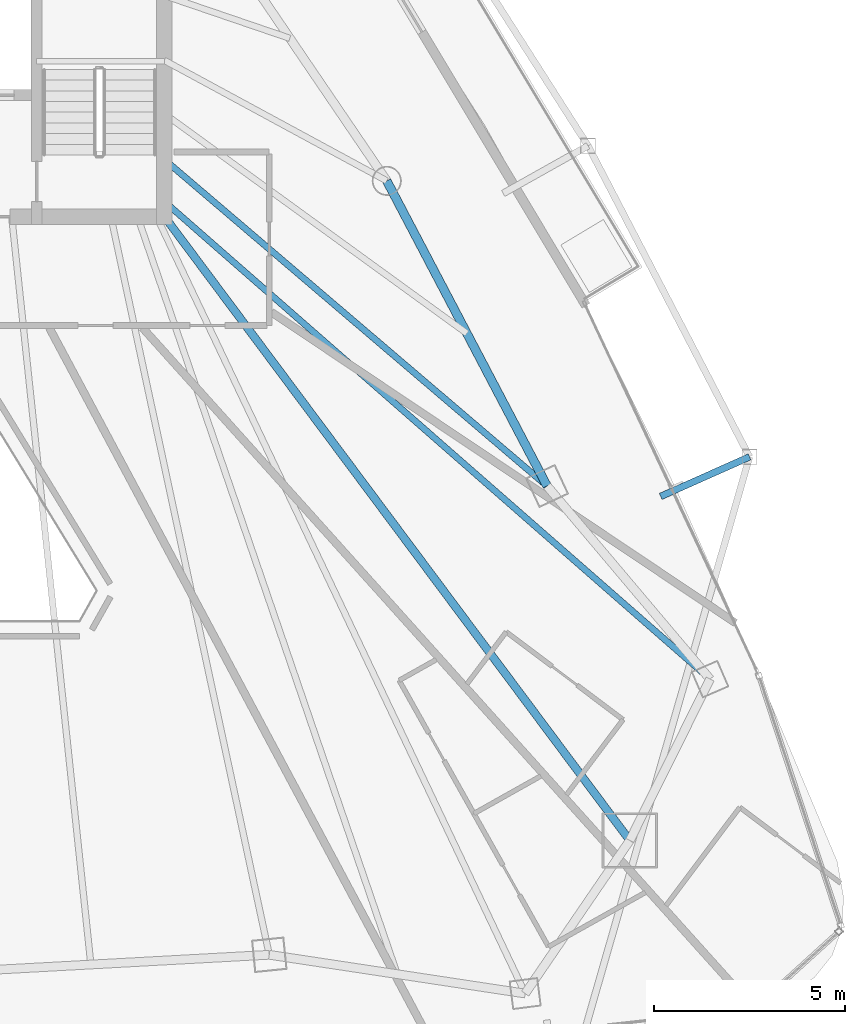
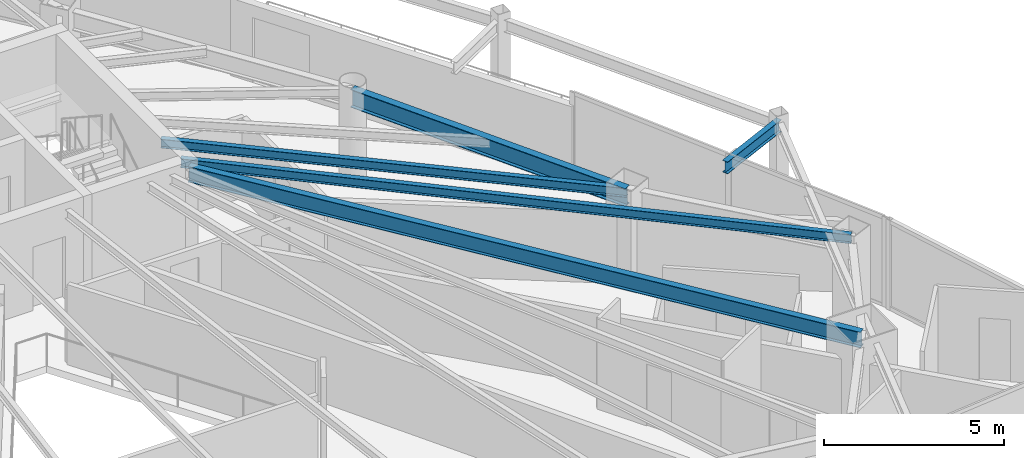
# One storey, part 18 of 30: 5 beams.
"""IFC4 building model written with IfcOpenShell, lengths in metres."""

from ifc_helpers import new_model, si_unit, direction, frame, origin, origin_2d, place, context, subcontext, project, spatial, i_section, extrude, material, material_profile, profile_set, type_object, element, save


model = new_model("IFC4")

# Units and contexts
model_context = context("Model", 3, precision=1e-05, world=origin(), true_north=direction((0.0, 1.0)))
body_context = subcontext(model_context, "Body", "Model", "MODEL_VIEW")
ifc_project = project(units=[si_unit("LENGTHUNIT", "METRE"), si_unit("AREAUNIT", "SQUARE_METRE"), si_unit("VOLUMEUNIT", "CUBIC_METRE"), si_unit("PLANEANGLEUNIT", "RADIAN"), si_unit("MASSUNIT", "GRAM", prefix="KILO")], contexts=[model_context])

# Site, building, storey
site_placement = place(None, origin())
site = spatial("IfcSite", under=ifc_project, at=site_placement, CompositionType="ELEMENT")
building_placement = place(site_placement, origin())
building = spatial("IfcBuilding", under=site, at=building_placement, Name="Orvanel Arch Residences", CompositionType="ELEMENT")
storey_placement = place(building_placement, frame((0.0, 0.0, 180.35009765625)))
storey = spatial("IfcBuildingStorey", under=building, at=storey_placement, Name="L51", CompositionType="ELEMENT", Elevation=180.35009765625)

# Beams
ifc_material = material(Name="Structural steel AS/NZS 3679.1 Grade 300 (300 MPa)", Category="steel")
ifc_material_profile_1 = material_profile(ifc_material, i_section(OverallWidth=0.208984375, OverallDepth=0.532958984375, WebThickness=0.01025390625, FlangeThickness=0.015625, at=origin_2d()), Name="530UB92.4")
ifc_profile_set_1 = profile_set([ifc_material_profile_1], Name="Structural steel AS/NZS 3679.1 Grade 300 (300 MPa)")
beam_type_1 = type_object("IfcBeamType", Name="BG-530UB", PredefinedType="BEAM", material=ifc_profile_set_1)
beam_1_placement = place(storey_placement, frame((39.625, 26.675048828125, 2.79296875), z_axis=(0.597893733742, -0.801575375839, 0.0), x_axis=(0.801575375839, 0.597893733742, 0.0)))
element("IfcBeam", 1, at=beam_1_placement, inside=storey, type_object=beam_type_1, Name="L51 South-East Radial Girder", PredefinedType="BEAM", context=body_context, shape_type="SweptSolid", body=[
    extrude(i_section(OverallWidth=0.208984375, OverallDepth=0.532958984375, WebThickness=0.01025390625, FlangeThickness=0.015625, at=origin_2d()), origin(), (0.0, 0.0, 1.0), 20.36474609375),
])
ifc_material_profile_2 = material_profile(ifc_material, i_section(OverallWidth=0.1650390625, OverallDepth=0.303955078125, WebThickness=0.006103515625, FlangeThickness=0.01025390625, at=origin_2d()), Name="310UB40.4")
ifc_profile_set_2 = profile_set([ifc_material_profile_2], Name="Structural steel AS/NZS 3679.1 Grade 300 (300 MPa)")
beam_type_2 = type_object("IfcBeamType", Name="BJ-310UB", PredefinedType="JOIST", material=ifc_profile_set_2)
beam_2_placement = place(storey_placement, frame((39.60009765625, 28.199951171875, 2.907958984375), z_axis=(0.760821315761, -0.648961420644, 0.0), x_axis=(0.648961420644, 0.760821315761, 0.0)))
element("IfcBeam", 2, at=beam_2_placement, inside=storey, type_object=beam_type_2, Name="L51 E Wing Floor Joist", PredefinedType="JOIST", context=body_context, shape_type="SweptSolid", body=[
    extrude(i_section(OverallWidth=0.1650390625, OverallDepth=0.303955078125, WebThickness=0.006103515625, FlangeThickness=0.01025390625, at=origin_2d()), origin(), (0.0, 0.0, 1.0), 13.18701171875),
])
beam_3_placement = place(storey_placement, frame((39.60009765625, 27.10009765625, 2.907958984375), z_axis=(0.752493154183, -0.658600070534, 0.0), x_axis=(0.658600070534, 0.752493154183, 0.0)))
element("IfcBeam", 3, at=beam_3_placement, inside=storey, type_object=beam_type_2, Name="L51 ME Wing Floor Joist", PredefinedType="JOIST", context=body_context, shape_type="SweptSolid", body=[
    extrude(i_section(OverallWidth=0.1650390625, OverallDepth=0.303955078125, WebThickness=0.006103515625, FlangeThickness=0.01025390625, at=origin_2d()), origin(), (0.0, 0.0, 1.0), 19.010009765625),
])
ifc_material_profile_3 = material_profile(ifc_material, i_section(OverallWidth=0.177978515625, OverallDepth=0.406005859375, WebThickness=0.0078125, FlangeThickness=0.0126953125, at=origin_2d()), Name="410UB59.7")
ifc_profile_set_3 = profile_set([ifc_material_profile_3], Name="Structural steel AS/NZS 3679.1 Grade 300 (300 MPa)")
beam_type_3 = type_object("IfcBeamType", Name="OB-410UB-EXT", PredefinedType="SPANDREL", material=ifc_profile_set_3)
beam_4_placement = place(storey_placement, frame((52.611083984375, 19.368896484375, 2.85693359375), z_axis=(0.913368775481, 0.407133245974, 0.0), x_axis=(-0.407133245974, 0.913368775481, 0.0)))
element("IfcBeam", 4, at=beam_4_placement, inside=storey, type_object=beam_type_3, Name="L51 Outer Frame Radial Tie Beam 09", PredefinedType="SPANDREL", context=body_context, shape_type="SweptSolid", body=[
    extrude(i_section(OverallWidth=0.177978515625, OverallDepth=0.406005859375, WebThickness=0.0078125, FlangeThickness=0.0126953125, at=origin_2d()), origin(), (0.0, 0.0, 1.0), 2.5498046875),
])
ifc_material_profile_4 = material_profile(ifc_material, i_section(OverallWidth=0.22900390625, OverallDepth=0.612060546875, WebThickness=0.011962890625, FlangeThickness=0.01953125, at=origin_2d()), Name="610UB125")
ifc_profile_set_4 = profile_set([ifc_material_profile_4], Name="Structural steel AS/NZS 3679.1 Grade 300 (300 MPa)")
beam_type_4 = type_object("IfcBeamType", Name="SP-610UB", PredefinedType="SPANDREL", material=ifc_profile_set_4)
beam_5_placement = place(storey_placement, frame((49.633056640625, 19.64208984375, 2.75390625), z_axis=(-0.465064762793, 0.885276660942, 0.0), x_axis=(-0.885276660942, -0.465064762793, 0.0)))
element("IfcBeam", 5, at=beam_5_placement, inside=storey, type_object=beam_type_4, Name="L51 Perimeter Spandrel Beam 11", PredefinedType="SPANDREL", context=body_context, shape_type="SweptSolid", body=[
    extrude(i_section(OverallWidth=0.22900390625, OverallDepth=0.612060546875, WebThickness=0.011962890625, FlangeThickness=0.01953125, at=origin_2d()), origin(), (0.0, 0.0, 1.0), 9.03564453125),
])

save(model, "model.ifc")
